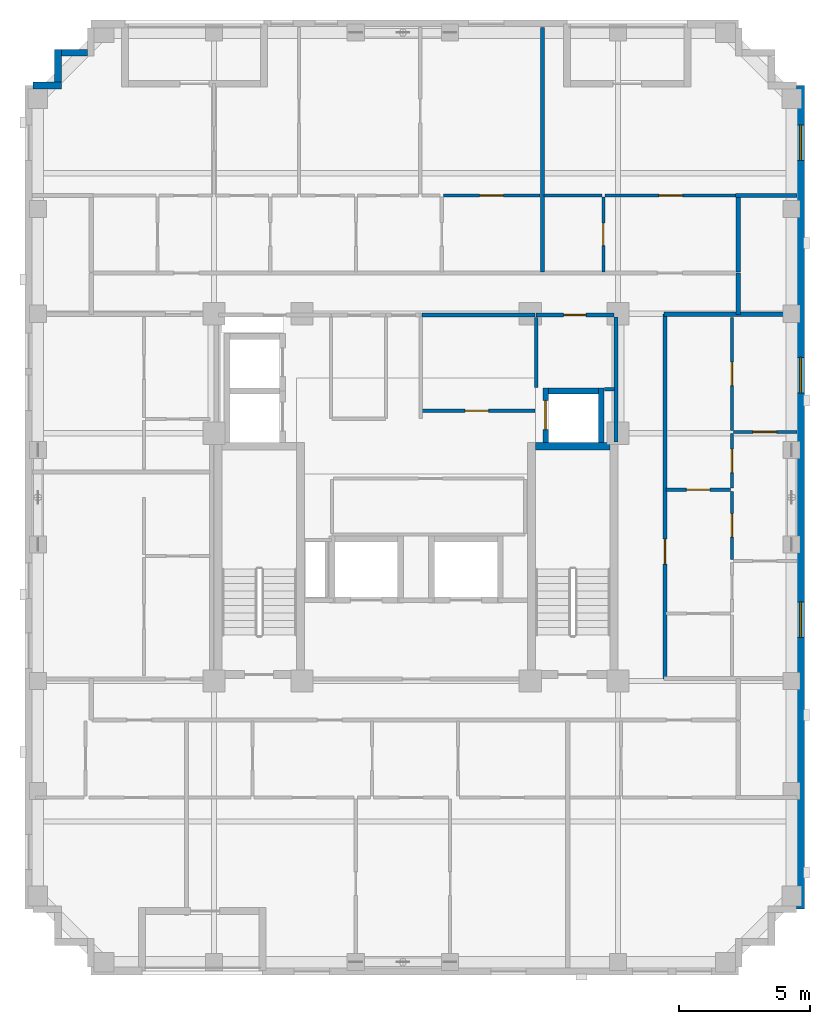
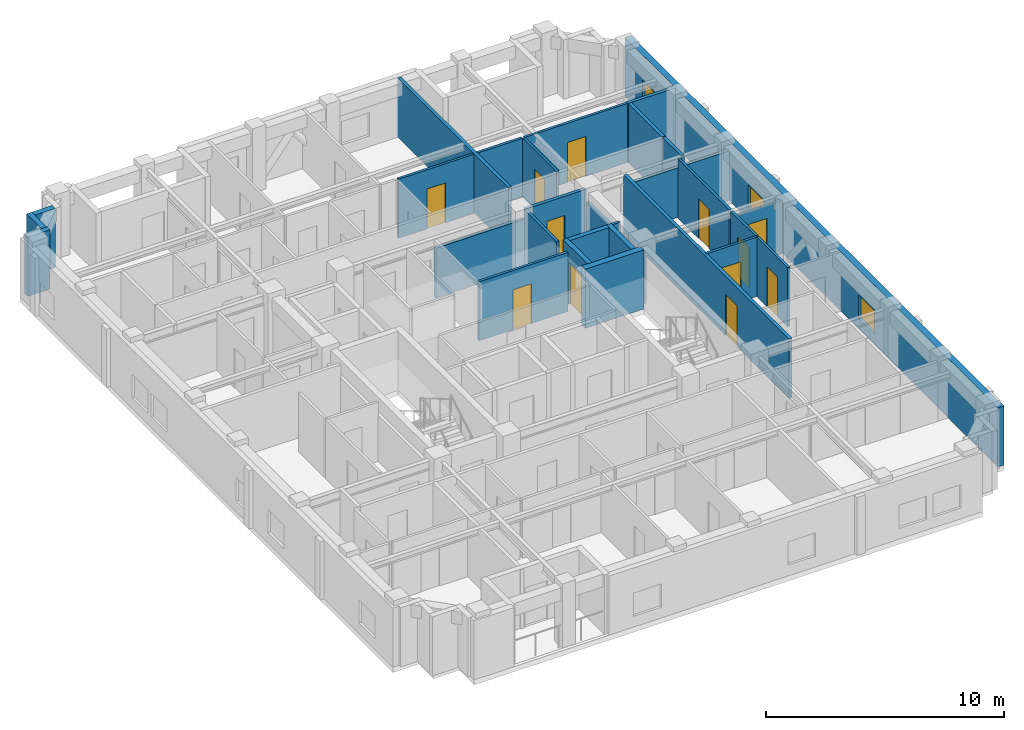
# One storey, part 6 of 10: 29 walls, 12 doors, 3 windows, 15 openings.
"""IFC4 building model written with IfcOpenShell, lengths in metres."""

from ifc_helpers import new_model, si_unit, derived_unit, direction, frame, frame_2d, origin, place, context, subcontext, project, spatial, rectangle, extrude, material, layer, layer_set, type_object, element, fill, save


model = new_model("IFC4")

# Units and contexts
model_context = context("Model", 3, precision=1e-05, world=origin(), true_north=direction((0.0, 1.0)))
body_context = subcontext(model_context, "Body", "Model", "MODEL_VIEW")
ifc_project = project(units=[si_unit("LENGTHUNIT", "METRE"), si_unit("AREAUNIT", "SQUARE_METRE"), si_unit("VOLUMEUNIT", "CUBIC_METRE"), si_unit("PLANEANGLEUNIT", "RADIAN"), si_unit("MASSUNIT", "GRAM", prefix="KILO"), derived_unit("THERMALTRANSMITTANCEUNIT", [(si_unit("MASSUNIT", "GRAM", prefix="KILO"), 1), (si_unit("TIMEUNIT", "SECOND"), -3), (si_unit("THERMODYNAMICTEMPERATUREUNIT", "KELVIN"), -1)])], contexts=[model_context])

# Site, building, storey
site_placement = place(None, origin())
site = spatial("IfcSite", under=ifc_project, at=site_placement, CompositionType="ELEMENT")
building_placement = place(site_placement, origin())
building = spatial("IfcBuilding", under=site, at=building_placement, Name="Korrvale Station Residences", CompositionType="ELEMENT")
storey_placement = place(building_placement, frame((0.0, 0.0, 207.39990234375)))
storey = spatial("IfcBuildingStorey", under=building, at=storey_placement, Name="L60", CompositionType="ELEMENT", Elevation=207.39990234375)

# Walls
ifc_material_1 = material(Name="Concrete C50/60", Category="concrete")
ifc_layer_1 = layer(ifc_material_1, 0.300048828125, Name="Concrete C50/60")
ifc_layer_set_1 = layer_set([ifc_layer_1], Name="Concrete C50/60")
wall_type_1 = type_object("IfcWallType", Name="WAL-CORE-300-C50", PredefinedType="SHEAR", material=ifc_layer_set_1)
wall_1_placement = place(storey_placement, frame((30.050048828125, 23.949951171875, 0.0), z_axis=(0.0, 0.0, 1.0), x_axis=(1.0, 0.0, 0.0)))
element("IfcWall", 1, at=wall_1_placement, inside=storey, type_object=wall_type_1, Name="L60 ST-2 Core Shear Wall North", PredefinedType="SHEAR", context=body_context, shape_type="SweptSolid", body=[
    extrude(rectangle(XDim=2.849853515625, YDim=0.300048828125, at=frame_2d((1.4248046875, 0.0))), origin(), (0.0, 0.0, 1.0), 3.0400390625),
])
ifc_material_2 = material(Name="Precast concrete C45/55", Category="concrete")
ifc_layer_2 = layer(ifc_material_2, 0.260009765625, Name="Precast concrete C45/55")
ifc_layer_set_2 = layer_set([ifc_layer_2], Name="Precast concrete C45/55")
wall_type_2 = type_object("IfcWallType", Name="WAL-EXT-LOG260", PredefinedType="SOLIDWALL", material=ifc_layer_set_2)
wall_2_placement = place(storey_placement, frame((10.902099609375, 37.699951171875, 0.0), z_axis=(0.0, 0.0, 1.0), x_axis=(1.0, 0.0, 0.0)))
element("IfcWall", 2, at=wall_2_placement, inside=storey, type_object=wall_type_2, Name="L60 Serrated Corner Precast Step NW-1", PredefinedType="SOLIDWALL", context=body_context, shape_type="SweptSolid", body=[
    extrude(rectangle(XDim=1.077880859375, YDim=0.260009765625, at=frame_2d((0.5390625, 0.0))), origin(), (0.0, 0.0, 1.0), 3.0400390625),
])
wall_3_placement = place(storey_placement, frame((11.85009765625, 37.83203125, 0.0), z_axis=(0.0, 0.0, 1.0), x_axis=(0.0, 1.0, 0.0)))
element("IfcWall", 3, at=wall_3_placement, inside=storey, type_object=wall_type_2, Name="L60 Serrated Corner Precast Step NW-2", PredefinedType="SOLIDWALL", context=body_context, shape_type="SweptSolid", body=[
    extrude(rectangle(XDim=1.248046875, YDim=0.260009765625, at=frame_2d((0.6240234375, 0.0))), origin(), (0.0, 0.0, 1.0), 3.0400390625),
])
wall_4_placement = place(storey_placement, frame((11.98193359375, 38.949951171875, 0.0), z_axis=(0.0, 0.0, 1.0), x_axis=(1.0, 0.0, 0.0)))
element("IfcWall", 4, at=wall_4_placement, inside=storey, type_object=wall_type_2, Name="L60 Serrated Corner Precast Step NW-3", PredefinedType="SOLIDWALL", context=body_context, shape_type="SweptSolid", body=[
    extrude(rectangle(XDim=0.986083984375, YDim=0.260009765625, at=frame_2d((0.4931640625, 0.0))), origin(), (0.0, 0.0, 1.0), 3.0400390625),
])

# Wall, openings, windows
ifc_layer_3 = layer(ifc_material_2, 0.300048828125, Name="Precast concrete C45/55")
ifc_layer_set_3 = layer_set([ifc_layer_3], Name="Precast concrete C45/55")
wall_type_3 = type_object("IfcWallType", Name="WAL-EXT-PC300", PredefinedType="SOLIDWALL", material=ifc_layer_set_3)
wall_5_placement = place(storey_placement, frame((40.14990234375, 37.699951171875, 0.0), z_axis=(0.0, 0.0, 1.0), x_axis=(0.0, -1.0, 0.0)))
wall_5 = element("IfcWall", 5, at=wall_5_placement, inside=storey, type_object=wall_type_3, Name="L60 East Exterior Precast Wall 1", PredefinedType="SOLIDWALL", context=body_context, shape_type="SweptSolid", body=[
    extrude(rectangle(XDim=31.39990234375, YDim=0.300048828125, at=frame_2d((15.699951171875, 0.0))), origin(), (0.0, 0.0, 1.0), 3.0400390625),
])
opening_1_placement = place(wall_5_placement, frame((1.50390625, 0.0, 0.550048828125)))
opening_1 = element("IfcOpeningElement", 6, at=opening_1_placement, cuts=wall_5, Name="Opening W-10", PredefinedType="OPENING", context=body_context, shape_type="SweptSolid", body=[
    extrude(rectangle(XDim=1.35009765625, YDim=1.199951171875, at=frame_2d((0.675048828125, 0.60009765625))), frame((0.0, 0.16015625, 0.0), z_axis=(0.0, -1.0, 0.0), x_axis=(1.0, 0.0, 0.0)), (0.0, 0.0, 1.0), 0.320068359375),
])
opening_2_placement = place(wall_5_placement, frame((19.68310546875, 0.0, 0.550048828125)))
opening_2 = element("IfcOpeningElement", 7, at=opening_2_placement, cuts=wall_5, Name="Opening W-10", PredefinedType="OPENING", context=body_context, shape_type="SweptSolid", body=[
    extrude(rectangle(XDim=1.35009765625, YDim=1.199951171875, at=frame_2d((0.675048828125, 0.60009765625))), frame((0.0, 0.16015625, 0.0), z_axis=(0.0, -1.0, 0.0), x_axis=(1.0, 0.0, 0.0)), (0.0, 0.0, 1.0), 0.320068359375),
])
opening_3_placement = place(wall_5_placement, frame((10.366943359375, 0.0, 0.550048828125)))
opening_3 = element("IfcOpeningElement", 8, at=opening_3_placement, cuts=wall_5, Name="Opening W-10", PredefinedType="OPENING", context=body_context, shape_type="SweptSolid", body=[
    extrude(rectangle(XDim=1.35009765625, YDim=1.199951171875, at=frame_2d((0.675048828125, 0.60009765625))), frame((0.0, 0.16015625, 0.0), z_axis=(0.0, -1.0, 0.0), x_axis=(1.0, 0.0, 0.0)), (0.0, 0.0, 1.0), 0.320068359375),
])
ifc_material_3 = material(Name="Thermally broken aluminium frame with triple low-e glazing", Category="aluminium")
window_type = type_object("IfcWindowType", Name="WIN-W10", PartitioningType="SINGLE_PANEL", PredefinedType="WINDOW", material=ifc_material_3)
window_1_placement = place(opening_1_placement, origin())
window_1 = element("IfcWindow", 9, at=window_1_placement, inside=storey, type_object=window_type, Name="L60 Punched Window 10", OverallHeight=1.199951171875, OverallWidth=1.35009765625, PartitioningType="SINGLE_PANEL", PredefinedType="WINDOW", context=body_context, shape_type="SweptSolid", body=[
    extrude(rectangle(XDim=1.35009765625, YDim=1.199951171875, at=frame_2d((0.675048828125, 0.60009765625))), frame((0.0, 0.030029296875, 0.0), z_axis=(0.0, -1.0, 0.0), x_axis=(1.0, 0.0, 0.0)), (0.0, 0.0, 1.0), 0.06005859375),
])
fill(opening_1, window_1)
window_2_placement = place(opening_2_placement, origin())
window_2 = element("IfcWindow", 10, at=window_2_placement, inside=storey, type_object=window_type, Name="L60 Punched Window 15", OverallHeight=1.199951171875, OverallWidth=1.35009765625, PartitioningType="SINGLE_PANEL", PredefinedType="WINDOW", context=body_context, shape_type="SweptSolid", body=[
    extrude(rectangle(XDim=1.35009765625, YDim=1.199951171875, at=frame_2d((0.675048828125, 0.60009765625))), frame((0.0, 0.030029296875, 0.0), z_axis=(0.0, -1.0, 0.0), x_axis=(1.0, 0.0, 0.0)), (0.0, 0.0, 1.0), 0.06005859375),
])
fill(opening_2, window_2)
window_3_placement = place(opening_3_placement, origin())
window_3 = element("IfcWindow", 11, at=window_3_placement, inside=storey, type_object=window_type, Name="L60 Punched Window 16", OverallHeight=1.199951171875, OverallWidth=1.35009765625, PartitioningType="SINGLE_PANEL", PredefinedType="WINDOW", context=body_context, shape_type="SweptSolid", body=[
    extrude(rectangle(XDim=1.35009765625, YDim=1.199951171875, at=frame_2d((0.675048828125, 0.60009765625))), frame((0.0, 0.030029296875, 0.0), z_axis=(0.0, -1.0, 0.0), x_axis=(1.0, 0.0, 0.0)), (0.0, 0.0, 1.0), 0.06005859375),
])
fill(opening_3, window_3)

# Walls
ifc_material_4 = material(Name="Acoustic steel-stud gypsum board partition", Category="steel")
ifc_layer_4 = layer(ifc_material_4, 0.1201171875, Name="Acoustic steel-stud gypsum board partition")
ifc_layer_set_4 = layer_set([ifc_layer_4], Name="Acoustic steel-stud gypsum board partition")
wall_type_4 = type_object("IfcWallType", Name="WAL-PART-125", PredefinedType="PARTITIONING", material=ifc_layer_set_4)
wall_6_placement = place(storey_placement, frame((30.080078125, 26.179931640625, 0.0), z_axis=(0.0, 0.0, 1.0), x_axis=(0.0, 1.0, 0.0)))
element("IfcWall", 12, at=wall_6_placement, inside=storey, type_object=wall_type_4, Name="L60 Core Partition CW-CS-W", PredefinedType="PARTITIONING", context=body_context, shape_type="SweptSolid", body=[
    extrude(rectangle(XDim=2.68017578125, YDim=0.1201171875, at=frame_2d((1.340087890625, 0.0))), origin(), (0.0, 0.0, 1.0), 3.0400390625),
])
wall_7_placement = place(storey_placement, frame((32.679931640625, 26.1201171875, 0.0), z_axis=(0.0, 0.0, 1.0), x_axis=(1.0, 0.0, 0.0)))
element("IfcWall", 13, at=wall_7_placement, inside=storey, type_object=wall_type_4, Name="L60 Core Partition CW-CS-S", PredefinedType="PARTITIONING", context=body_context, shape_type="SweptSolid", body=[
    extrude(rectangle(XDim=0.380126953125, YDim=0.1201171875, at=frame_2d((0.18994140625, 0.0))), origin(), (0.0, 0.0, 1.0), 3.0400390625),
])

# Wall, opening, door
wall_8_placement = place(storey_placement, frame((25.719970703125, 25.300048828125, 0.0), z_axis=(0.0, 0.0, 1.0), x_axis=(1.0, 0.0, 0.0)))
wall_8 = element("IfcWall", 14, at=wall_8_placement, inside=storey, type_object=wall_type_4, Name="L60 Core Partition CW-FPLE-S", PredefinedType="PARTITIONING", context=body_context, shape_type="SweptSolid", body=[
    extrude(rectangle(XDim=4.320068359375, YDim=0.1201171875, at=frame_2d((2.16015625, 0.0))), origin(), (0.0, 0.0, 1.0), 3.0400390625),
])
opening_4_placement = place(wall_8_placement, frame((1.64990234375, 0.0, 0.0)))
opening_4 = element("IfcOpeningElement", 15, at=opening_4_placement, cuts=wall_8, Name="Opening DI-900", PredefinedType="OPENING", context=body_context, shape_type="SweptSolid", body=[
    extrude(rectangle(XDim=0.89990234375, YDim=2.050048828125, at=frame_2d((0.449951171875, 1.02490234375))), frame((0.0, 0.070068359375, 0.0), z_axis=(0.0, -1.0, 0.0), x_axis=(1.0, 0.0, 0.0)), (0.0, 0.0, 1.0), 0.14013671875),
])
ifc_material_5 = material(Name="Painted solid-core timber interior room door", Category="wood")
door_type_1 = type_object("IfcDoorType", Name="DR-INT-900", OperationType="NOTDEFINED", PredefinedType="DOOR", material=ifc_material_5)
door_1_placement = place(opening_4_placement, origin())
door_1 = element("IfcDoor", 16, at=door_1_placement, inside=storey, type_object=door_type_1, Name="L60 Housekeeping Linen Door", OperationType="SINGLE_SWING_LEFT", OverallHeight=2.050048828125, OverallWidth=0.89990234375, PredefinedType="DOOR", context=body_context, shape_type="SweptSolid", body=[
    extrude(rectangle(XDim=0.89990234375, YDim=2.050048828125, at=frame_2d((0.449951171875, 1.02490234375))), frame((0.0, 0.02490234375, 0.0), z_axis=(0.0, -1.0, 0.0), x_axis=(1.0, 0.0, 0.0)), (0.0, 0.0, 1.0), 0.050048828125),
])
fill(opening_4, door_1)

wall_9_placement = place(storey_placement, frame((26.5400390625, 33.510009765625, 0.0), z_axis=(0.0, 0.0, 1.0), x_axis=(1.0, 0.0, 0.0)))
wall_9 = element("IfcWall", 17, at=wall_9_placement, inside=storey, type_object=wall_type_4, Name="L60 Suite Partition U04-H48", PredefinedType="PARTITIONING", context=body_context, shape_type="SweptSolid", body=[
    extrude(rectangle(XDim=3.677001953125, YDim=0.1201171875, at=frame_2d((1.83837890625, 0.0))), origin(), (0.0, 0.0, 1.0), 3.0400390625),
])
opening_5_placement = place(wall_9_placement, frame((1.387939453125, 0.0, 0.0)))
opening_5 = element("IfcOpeningElement", 18, at=opening_5_placement, cuts=wall_9, Name="Opening DI-900", PredefinedType="OPENING", context=body_context, shape_type="SweptSolid", body=[
    extrude(rectangle(XDim=0.89990234375, YDim=2.050048828125, at=frame_2d((0.449951171875, 1.02490234375))), frame((0.0, 0.070068359375, 0.0), z_axis=(0.0, -1.0, 0.0), x_axis=(1.0, 0.0, 0.0)), (0.0, 0.0, 1.0), 0.14013671875),
])
door_2_placement = place(opening_5_placement, origin())
door_2 = element("IfcDoor", 19, at=door_2_placement, inside=storey, type_object=door_type_1, Name="L60 Apartment 2BR L60-U04 Wardrobe Storage Room Door", OperationType="SINGLE_SWING_LEFT", OverallHeight=2.050048828125, OverallWidth=0.89990234375, PredefinedType="DOOR", context=body_context, shape_type="SweptSolid", body=[
    extrude(rectangle(XDim=0.89990234375, YDim=2.050048828125, at=frame_2d((0.449951171875, 1.02490234375))), frame((0.0, 0.02490234375, 0.0), z_axis=(0.0, -1.0, 0.0), x_axis=(1.0, 0.0, 0.0)), (0.0, 0.0, 1.0), 0.050048828125),
])
fill(opening_5, door_2)

wall_10_placement = place(storey_placement, frame((32.639892578125, 30.60009765625, 0.0), z_axis=(0.0, 0.0, 1.0), x_axis=(0.0, 1.0, 0.0)))
wall_10 = element("IfcWall", 20, at=wall_10_placement, inside=storey, type_object=wall_type_4, Name="L60 Suite Partition U05-V01", PredefinedType="PARTITIONING", context=body_context, shape_type="SweptSolid", body=[
    extrude(rectangle(XDim=2.849853515625, YDim=0.1201171875, at=frame_2d((1.4248046875, 0.0))), origin(), (0.0, 0.0, 1.0), 3.0400390625),
])
opening_6_placement = place(wall_10_placement, frame((0.9951171875, 0.0, 0.0)))
opening_6 = element("IfcOpeningElement", 21, at=opening_6_placement, cuts=wall_10, Name="Opening DB-860", PredefinedType="OPENING", context=body_context, shape_type="SweptSolid", body=[
    extrude(rectangle(XDim=0.860107421875, YDim=2.050048828125, at=frame_2d((0.43017578125, 1.02490234375))), frame((0.0, 0.070068359375, 0.0), z_axis=(0.0, -1.0, 0.0), x_axis=(1.0, 0.0, 0.0)), (0.0, 0.0, 1.0), 0.14013671875),
])
ifc_material_6 = material(Name="Moisture-resistant solid-core bathroom door", Category="timber")
door_type_2 = type_object("IfcDoorType", Name="DR-BATH-860", OperationType="NOTDEFINED", PredefinedType="DOOR", material=ifc_material_6)
door_3_placement = place(opening_6_placement, origin())
door_3 = element("IfcDoor", 22, at=door_3_placement, inside=storey, type_object=door_type_2, Name="L60 Studio Apartment L60-U05 Bathroom Door", OperationType="SINGLE_SWING_LEFT", OverallHeight=2.050048828125, OverallWidth=0.860107421875, PredefinedType="DOOR", context=body_context, shape_type="SweptSolid", body=[
    extrude(rectangle(XDim=0.860107421875, YDim=2.050048828125, at=frame_2d((0.43017578125, 1.02490234375))), frame((0.0, 0.02490234375, 0.0), z_axis=(0.0, -1.0, 0.0), x_axis=(1.0, 0.0, 0.0)), (0.0, 0.0, 1.0), 0.050048828125),
])
fill(opening_6, door_3)

# Wall
wall_11_placement = place(storey_placement, frame((30.376953125, 33.510009765625, 0.0), z_axis=(0.0, 0.0, 1.0), x_axis=(1.0, 0.0, 0.0)))
element("IfcWall", 23, at=wall_11_placement, inside=storey, type_object=wall_type_4, Name="L60 Suite Partition U05-H02", PredefinedType="PARTITIONING", context=body_context, shape_type="SweptSolid", body=[
    extrude(rectangle(XDim=2.203125, YDim=0.1201171875, at=frame_2d((1.1015625, 0.0))), origin(), (0.0, 0.0, 1.0), 3.0400390625),
])

# Wall, opening, door
wall_12_placement = place(storey_placement, frame((32.699951171875, 33.510009765625, 0.0), z_axis=(0.0, 0.0, 1.0), x_axis=(1.0, 0.0, 0.0)))
wall_12 = element("IfcWall", 24, at=wall_12_placement, inside=storey, type_object=wall_type_4, Name="L60 Suite Partition U05-H12", PredefinedType="PARTITIONING", context=body_context, shape_type="SweptSolid", body=[
    extrude(rectangle(XDim=5.02001953125, YDim=0.1201171875, at=frame_2d((2.510009765625, 0.0))), origin(), (0.0, 0.0, 1.0), 3.0400390625),
])
opening_7_placement = place(wall_12_placement, frame((2.06005859375, 0.0, 0.0)))
opening_7 = element("IfcOpeningElement", 25, at=opening_7_placement, cuts=wall_12, Name="Opening DI-900", PredefinedType="OPENING", context=body_context, shape_type="SweptSolid", body=[
    extrude(rectangle(XDim=0.89990234375, YDim=2.050048828125, at=frame_2d((0.449951171875, 1.02490234375))), frame((0.0, 0.070068359375, 0.0), z_axis=(0.0, -1.0, 0.0), x_axis=(1.0, 0.0, 0.0)), (0.0, 0.0, 1.0), 0.14013671875),
])
door_4_placement = place(opening_7_placement, origin())
door_4 = element("IfcDoor", 26, at=door_4_placement, inside=storey, type_object=door_type_1, Name="L60 Studio Apartment L60-U05 Kitchen Door", OperationType="SINGLE_SWING_RIGHT", OverallHeight=2.050048828125, OverallWidth=0.89990234375, PredefinedType="DOOR", context=body_context, shape_type="SweptSolid", body=[
    extrude(rectangle(XDim=0.89990234375, YDim=2.050048828125, at=frame_2d((0.449951171875, 1.02490234375))), frame((0.0, 0.02490234375, 0.0), z_axis=(0.0, -1.0, 0.0), x_axis=(1.0, 0.0, 0.0)), (0.0, 0.0, 1.0), 0.050048828125),
])
fill(opening_7, door_4)

wall_13_placement = place(storey_placement, frame((35.030029296875, 22.2900390625, 0.0), z_axis=(0.0, 0.0, 1.0), x_axis=(1.0, 0.0, 0.0)))
wall_13 = element("IfcWall", 27, at=wall_13_placement, inside=storey, type_object=wall_type_4, Name="L60 Suite Partition U08-H02", PredefinedType="PARTITIONING", context=body_context, shape_type="SweptSolid", body=[
    extrude(rectangle(XDim=2.449951171875, YDim=0.1201171875, at=frame_2d((1.22509765625, 0.0))), origin(), (0.0, 0.0, 1.0), 3.0400390625),
])
opening_8_placement = place(wall_13_placement, frame((0.77490234375, 0.0, 0.0)))
opening_8 = element("IfcOpeningElement", 28, at=opening_8_placement, cuts=wall_13, Name="Opening DI-900", PredefinedType="OPENING", context=body_context, shape_type="SweptSolid", body=[
    extrude(rectangle(XDim=0.89990234375, YDim=2.050048828125, at=frame_2d((0.449951171875, 1.02490234375))), frame((0.0, 0.070068359375, 0.0), z_axis=(0.0, -1.0, 0.0), x_axis=(1.0, 0.0, 0.0)), (0.0, 0.0, 1.0), 0.14013671875),
])
door_5_placement = place(opening_8_placement, origin())
door_5 = element("IfcDoor", 29, at=door_5_placement, inside=storey, type_object=door_type_1, Name="L60 Apartment 2BR L60-U08 Wardrobe Storage Room Door", OperationType="SINGLE_SWING_LEFT", OverallHeight=2.050048828125, OverallWidth=0.89990234375, PredefinedType="DOOR", context=body_context, shape_type="SweptSolid", body=[
    extrude(rectangle(XDim=0.89990234375, YDim=2.050048828125, at=frame_2d((0.449951171875, 1.02490234375))), frame((0.0, 0.02490234375, 0.0), z_axis=(0.0, -1.0, 0.0), x_axis=(1.0, 0.0, 0.0)), (0.0, 0.0, 1.0), 0.050048828125),
])
fill(opening_8, door_5)

wall_14_placement = place(storey_placement, frame((37.5400390625, 22.35009765625, 0.0), z_axis=(0.0, 0.0, 1.0), x_axis=(0.0, 1.0, 0.0)))
wall_14 = element("IfcWall", 30, at=wall_14_placement, inside=storey, type_object=wall_type_4, Name="L60 Suite Partition U08-V04", PredefinedType="PARTITIONING", context=body_context, shape_type="SweptSolid", body=[
    extrude(rectangle(XDim=2.081787109375, YDim=0.1201171875, at=frame_2d((1.041015625, 0.0))), origin(), (0.0, 0.0, 1.0), 3.0400390625),
])
opening_9_placement = place(wall_14_placement, frame((0.591064453125, 0.0, 0.0)))
opening_9 = element("IfcOpeningElement", 31, at=opening_9_placement, cuts=wall_14, Name="Opening DI-900", PredefinedType="OPENING", context=body_context, shape_type="SweptSolid", body=[
    extrude(rectangle(XDim=0.89990234375, YDim=2.050048828125, at=frame_2d((0.449951171875, 1.02490234375))), frame((0.0, 0.070068359375, 0.0), z_axis=(0.0, -1.0, 0.0), x_axis=(1.0, 0.0, 0.0)), (0.0, 0.0, 1.0), 0.14013671875),
])
door_6_placement = place(opening_9_placement, origin())
door_6 = element("IfcDoor", 32, at=door_6_placement, inside=storey, type_object=door_type_1, Name="L60 Apartment 2BR L60-U08 Wardrobe Storage Room Door", OperationType="SINGLE_SWING_RIGHT", OverallHeight=2.050048828125, OverallWidth=0.89990234375, PredefinedType="DOOR", context=body_context, shape_type="SweptSolid", body=[
    extrude(rectangle(XDim=0.89990234375, YDim=2.050048828125, at=frame_2d((0.449951171875, 1.02490234375))), frame((0.0, 0.02490234375, 0.0), z_axis=(0.0, -1.0, 0.0), x_axis=(1.0, 0.0, 0.0)), (0.0, 0.0, 1.0), 0.050048828125),
])
fill(opening_9, door_6)

wall_15_placement = place(storey_placement, frame((37.5400390625, 24.552001953125, 0.0), z_axis=(0.0, 0.0, 1.0), x_axis=(0.0, 1.0, 0.0)))
wall_15 = element("IfcWall", 33, at=wall_15_placement, inside=storey, type_object=wall_type_4, Name="L60 Suite Partition U08-V05", PredefinedType="PARTITIONING", context=body_context, shape_type="SweptSolid", body=[
    extrude(rectangle(XDim=4.30810546875, YDim=0.1201171875, at=frame_2d((2.154052734375, 0.0))), origin(), (0.0, 0.0, 1.0), 3.0400390625),
])
opening_10_placement = place(wall_15_placement, frame((1.7041015625, 0.0, 0.0)))
opening_10 = element("IfcOpeningElement", 34, at=opening_10_placement, cuts=wall_15, Name="Opening DI-900", PredefinedType="OPENING", context=body_context, shape_type="SweptSolid", body=[
    extrude(rectangle(XDim=0.89990234375, YDim=2.050048828125, at=frame_2d((0.449951171875, 1.02490234375))), frame((0.0, 0.070068359375, 0.0), z_axis=(0.0, -1.0, 0.0), x_axis=(1.0, 0.0, 0.0)), (0.0, 0.0, 1.0), 0.14013671875),
])
door_7_placement = place(opening_10_placement, origin())
door_7 = element("IfcDoor", 35, at=door_7_placement, inside=storey, type_object=door_type_1, Name="L60 Apartment 2BR L60-U08 Wardrobe Storage Room Door", OperationType="SINGLE_SWING_LEFT", OverallHeight=2.050048828125, OverallWidth=0.89990234375, PredefinedType="DOOR", context=body_context, shape_type="SweptSolid", body=[
    extrude(rectangle(XDim=0.89990234375, YDim=2.050048828125, at=frame_2d((0.449951171875, 1.02490234375))), frame((0.0, 0.02490234375, 0.0), z_axis=(0.0, -1.0, 0.0), x_axis=(1.0, 0.0, 0.0)), (0.0, 0.0, 1.0), 0.050048828125),
])
fill(opening_10, door_7)

wall_16_placement = place(storey_placement, frame((37.5400390625, 19.637939453125, 0.0), z_axis=(0.0, 0.0, 1.0), x_axis=(0.0, 1.0, 0.0)))
wall_16 = element("IfcWall", 36, at=wall_16_placement, inside=storey, type_object=wall_type_4, Name="L60 Suite Partition U08-V24", PredefinedType="PARTITIONING", context=body_context, shape_type="SweptSolid", body=[
    extrude(rectangle(XDim=2.592041015625, YDim=0.1201171875, at=frame_2d((1.2958984375, 0.0))), origin(), (0.0, 0.0, 1.0), 3.0400390625),
])
opening_11_placement = place(wall_16_placement, frame((0.845947265625, 0.0, 0.0)))
opening_11 = element("IfcOpeningElement", 37, at=opening_11_placement, cuts=wall_16, Name="Opening DI-900", PredefinedType="OPENING", context=body_context, shape_type="SweptSolid", body=[
    extrude(rectangle(XDim=0.89990234375, YDim=2.050048828125, at=frame_2d((0.449951171875, 1.02490234375))), frame((0.0, 0.070068359375, 0.0), z_axis=(0.0, -1.0, 0.0), x_axis=(1.0, 0.0, 0.0)), (0.0, 0.0, 1.0), 0.14013671875),
])
door_8_placement = place(opening_11_placement, origin())
door_8 = element("IfcDoor", 38, at=door_8_placement, inside=storey, type_object=door_type_1, Name="L60 Apartment 2BR L60-U08 Kitchen Door", OperationType="SINGLE_SWING_RIGHT", OverallHeight=2.050048828125, OverallWidth=0.89990234375, PredefinedType="DOOR", context=body_context, shape_type="SweptSolid", body=[
    extrude(rectangle(XDim=0.89990234375, YDim=2.050048828125, at=frame_2d((0.449951171875, 1.02490234375))), frame((0.0, 0.02490234375, 0.0), z_axis=(0.0, -1.0, 0.0), x_axis=(1.0, 0.0, 0.0)), (0.0, 0.0, 1.0), 0.050048828125),
])
fill(opening_11, door_8)

wall_17_placement = place(storey_placement, frame((37.60009765625, 24.491943359375, 0.0), z_axis=(0.0, 0.0, 1.0), x_axis=(1.0, 0.0, 0.0)))
wall_17 = element("IfcWall", 39, at=wall_17_placement, inside=storey, type_object=wall_type_4, Name="L60 Suite Partition U08-H45", PredefinedType="PARTITIONING", context=body_context, shape_type="SweptSolid", body=[
    extrude(rectangle(XDim=2.419921875, YDim=0.1201171875, at=frame_2d((1.2099609375, 0.0))), origin(), (0.0, 0.0, 1.0), 2.72216796875),
])
opening_12_placement = place(wall_17_placement, frame((0.7451171875, 0.0, 0.0)))
opening_12 = element("IfcOpeningElement", 40, at=opening_12_placement, cuts=wall_17, Name="Opening DI-900", PredefinedType="OPENING", context=body_context, shape_type="SweptSolid", body=[
    extrude(rectangle(XDim=0.89990234375, YDim=2.050048828125, at=frame_2d((0.449951171875, 1.02490234375))), frame((0.0, 0.070068359375, 0.0), z_axis=(0.0, -1.0, 0.0), x_axis=(1.0, 0.0, 0.0)), (0.0, 0.0, 1.0), 0.14013671875),
])
door_9_placement = place(opening_12_placement, origin())
door_9 = element("IfcDoor", 41, at=door_9_placement, inside=storey, type_object=door_type_1, Name="L60 Apartment 2BR L60-U08 Living and Dining Room Door", OperationType="SINGLE_SWING_RIGHT", OverallHeight=2.050048828125, OverallWidth=0.89990234375, PredefinedType="DOOR", context=body_context, shape_type="SweptSolid", body=[
    extrude(rectangle(XDim=0.89990234375, YDim=2.050048828125, at=frame_2d((0.449951171875, 1.02490234375))), frame((0.0, 0.02490234375, 0.0), z_axis=(0.0, -1.0, 0.0), x_axis=(1.0, 0.0, 0.0)), (0.0, 0.0, 1.0), 0.050048828125),
])
fill(opening_12, door_9)

# Wall
ifc_material_7 = material(Name="Fire-rated twin-stud gypsum and mineral wool shaftwall assembly", Category="gypsum")
ifc_layer_5 = layer(ifc_material_7, 0.159912109375, Name="Fire-rated twin-stud gypsum and mineral wool shaftwall assembly")
ifc_layer_set_5 = layer_set([ifc_layer_5], Name="Fire-rated twin-stud gypsum and mineral wool shaftwall assembly")
wall_type_5 = type_object("IfcWallType", Name="WAL-PART-200", PredefinedType="PARTITIONING", material=ifc_layer_set_5)
wall_18_placement = place(storey_placement, frame((33.1201171875, 24.1201171875, 0.0), z_axis=(0.0, 0.0, 1.0), x_axis=(0.0, 1.0, 0.0)))
element("IfcWall", 42, at=wall_18_placement, inside=storey, type_object=wall_type_5, Name="L60 Core Partition CW-E-N", PredefinedType="PARTITIONING", context=body_context, shape_type="SweptSolid", body=[
    extrude(rectangle(XDim=4.759765625, YDim=0.159912109375, at=frame_2d((2.3798828125, 0.0))), origin(), (0.0, 0.0, 1.0), 2.375),
])

# Wall, opening, door
wall_19_placement = place(storey_placement, frame((30.080078125, 28.949951171875, 0.0), z_axis=(0.0, 0.0, 1.0), x_axis=(1.0, 0.0, 0.0)))
wall_19 = element("IfcWall", 43, at=wall_19_placement, inside=storey, type_object=wall_type_5, Name="L60 Core Partition CW-CS-N", PredefinedType="PARTITIONING", context=body_context, shape_type="SweptSolid", body=[
    extrude(rectangle(XDim=2.9599609375, YDim=0.159912109375, at=frame_2d((1.47998046875, 0.0))), origin(), (0.0, 0.0, 1.0), 3.0400390625),
])
opening_13_placement = place(wall_19_placement, frame((1.044921875, 0.0, 0.0)))
opening_13 = element("IfcOpeningElement", 44, at=opening_13_placement, cuts=wall_19, Name="Opening DB-860", PredefinedType="OPENING", context=body_context, shape_type="SweptSolid", body=[
    extrude(rectangle(XDim=0.860107421875, YDim=2.050048828125, at=frame_2d((0.43017578125, 1.02490234375))), frame((0.0, 0.08984375, 0.0), z_axis=(0.0, -1.0, 0.0), x_axis=(1.0, 0.0, 0.0)), (0.0, 0.0, 1.0), 0.179931640625),
])
door_10_placement = place(opening_13_placement, origin())
door_10 = element("IfcDoor", 45, at=door_10_placement, inside=storey, type_object=door_type_2, Name="L60 Parcel Room Door", OperationType="SINGLE_SWING_LEFT", OverallHeight=2.050048828125, OverallWidth=0.860107421875, PredefinedType="DOOR", context=body_context, shape_type="SweptSolid", body=[
    extrude(rectangle(XDim=0.860107421875, YDim=2.050048828125, at=frame_2d((0.43017578125, 1.02490234375))), frame((0.0, 0.02490234375, 0.0), z_axis=(0.0, -1.0, 0.0), x_axis=(1.0, 0.0, 0.0)), (0.0, 0.0, 1.0), 0.050048828125),
])
fill(opening_13, door_10)

# Walls
wall_20_placement = place(storey_placement, frame((25.719970703125, 28.949951171875, 0.0), z_axis=(0.0, 0.0, 1.0), x_axis=(1.0, 0.0, 0.0)))
element("IfcWall", 46, at=wall_20_placement, inside=storey, type_object=wall_type_5, Name="L60 Core Partition CW-FPLE-N", PredefinedType="PARTITIONING", context=body_context, shape_type="SweptSolid", body=[
    extrude(rectangle(XDim=4.320068359375, YDim=0.159912109375, at=frame_2d((2.16015625, 0.0))), origin(), (0.0, 0.0, 1.0), 2.55615234375),
])
wall_21_placement = place(storey_placement, frame((37.780029296875, 28.97998046875, 0.0), z_axis=(0.0, 0.0, 1.0), x_axis=(0.0, 1.0, 0.0)))
element("IfcWall", 47, at=wall_21_placement, inside=storey, type_object=wall_type_5, Name="L60 Corridor North East Cap", PredefinedType="PARTITIONING", context=body_context, shape_type="SweptSolid", body=[
    extrude(rectangle(XDim=1.580078125, YDim=0.159912109375, at=frame_2d((0.7900390625, 0.0))), origin(), (0.0, 0.0, 1.0), 3.0400390625),
])
wall_22_placement = place(storey_placement, frame((34.949951171875, 28.97998046875, 0.0), z_axis=(0.0, 0.0, 1.0), x_axis=(1.0, 0.0, 0.0)))
element("IfcWall", 48, at=wall_22_placement, inside=storey, type_object=wall_type_5, Name="L60 East Wing North Corridor Wall", PredefinedType="PARTITIONING", context=body_context, shape_type="SweptSolid", body=[
    extrude(rectangle(XDim=5.070068359375, YDim=0.159912109375, at=frame_2d((2.53515625, 0.0))), origin(), (0.0, 0.0, 1.0), 2.55615234375),
])
wall_23_placement = place(storey_placement, frame((37.679931640625, 33.510009765625, 0.0), z_axis=(0.0, 0.0, 1.0), x_axis=(1.0, 0.0, 0.0)))
element("IfcWall", 49, at=wall_23_placement, inside=storey, type_object=wall_type_5, Name="L60 Corner Step Wall U05-R", PredefinedType="PARTITIONING", context=body_context, shape_type="SweptSolid", body=[
    extrude(rectangle(XDim=2.340087890625, YDim=0.159912109375, at=frame_2d((1.169921875, 0.0))), origin(), (0.0, 0.0, 1.0), 3.0400390625),
])
wall_24_placement = place(storey_placement, frame((37.780029296875, 30.60009765625, 0.0), z_axis=(0.0, 0.0, 1.0), x_axis=(0.0, 1.0, 0.0)))
element("IfcWall", 50, at=wall_24_placement, inside=storey, type_object=wall_type_5, Name="L60 Corner Step Cheek U05-R", PredefinedType="PARTITIONING", context=body_context, shape_type="SweptSolid", body=[
    extrude(rectangle(XDim=2.909912109375, YDim=0.159912109375, at=frame_2d((1.455078125, 0.0))), origin(), (0.0, 0.0, 1.0), 3.0400390625),
])
wall_25_placement = place(storey_placement, frame((30.31689453125, 30.60009765625, 0.0), z_axis=(0.0, 0.0, 1.0), x_axis=(0.0, 1.0, 0.0)))
element("IfcWall", 51, at=wall_25_placement, inside=storey, type_object=wall_type_5, Name="L60 Demising Wall U05-W", PredefinedType="PARTITIONING", context=body_context, shape_type="SweptSolid", body=[
    extrude(rectangle(XDim=9.31982421875, YDim=0.159912109375, at=frame_2d((4.659912109375, 0.0))), origin(), (0.0, 0.0, 1.0), 3.0400390625),
])

# Wall, opening, door
wall_26_placement = place(storey_placement, frame((34.989990234375, 15.070068359375, 0.0), z_axis=(0.0, 0.0, 1.0), x_axis=(0.0, 1.0, 0.0)))
wall_26 = element("IfcWall", 52, at=wall_26_placement, inside=storey, type_object=wall_type_5, Name="L60 Rated Corridor Wall E", PredefinedType="PARTITIONING", context=body_context, shape_type="SweptSolid", body=[
    extrude(rectangle(XDim=13.929931640625, YDim=0.159912109375, at=frame_2d((6.96484375, 0.0))), origin(), (0.0, 0.0, 1.0), 3.0400390625),
])
opening_14_placement = place(wall_26_placement, frame((4.385009765625, 0.0, 0.0)))
opening_14 = element("IfcOpeningElement", 53, at=opening_14_placement, cuts=wall_26, Name="Opening UD-950", PredefinedType="OPENING", context=body_context, shape_type="SweptSolid", body=[
    extrude(rectangle(XDim=0.949951171875, YDim=2.10009765625, at=frame_2d((0.47509765625, 1.050048828125))), frame((0.0, 0.08984375, 0.0), z_axis=(0.0, -1.0, 0.0), x_axis=(1.0, 0.0, 0.0)), (0.0, 0.0, 1.0), 0.179931640625),
])
ifc_material_8 = material(Name="Solid-core acoustic oak apartment entrance door", Category="timber")
door_type_3 = type_object("IfcDoorType", Name="DR-UNIT-950", OperationType="NOTDEFINED", PredefinedType="DOOR", material=ifc_material_8)
door_11_placement = place(opening_14_placement, origin())
door_11 = element("IfcDoor", 54, at=door_11_placement, inside=storey, type_object=door_type_3, Name="L60 Apartment L60-U08 Entrance Door", OperationType="SINGLE_SWING_RIGHT", OverallHeight=2.10009765625, OverallWidth=0.949951171875, PredefinedType="DOOR", context=body_context, shape_type="SweptSolid", body=[
    extrude(rectangle(XDim=0.949951171875, YDim=2.10009765625, at=frame_2d((0.47509765625, 1.050048828125))), frame((0.0, 0.02490234375, 0.0), z_axis=(0.0, -1.0, 0.0), x_axis=(1.0, 0.0, 0.0)), (0.0, 0.0, 1.0), 0.050048828125),
])
fill(opening_14, door_11)

# Wall
ifc_layer_6 = layer(ifc_material_1, 0.219970703125, Name="Concrete C50/60")
ifc_layer_set_6 = layer_set([ifc_layer_6], Name="Concrete C50/60")
wall_type_6 = type_object("IfcWallType", Name="WAL-SHAFT-220-C50", PredefinedType="SHEAR", material=ifc_layer_set_6)
wall_27_placement = place(storey_placement, frame((30.550048828125, 26.06005859375, 0.0), z_axis=(0.0, 0.0, 1.0), x_axis=(1.0, 0.0, 0.0)))
element("IfcWall", 55, at=wall_27_placement, inside=storey, type_object=wall_type_6, Name="L60 Elevator PH-3 Hoistway Wall North", PredefinedType="SHEAR", context=body_context, shape_type="SweptSolid", body=[
    extrude(rectangle(XDim=1.89990234375, YDim=0.219970703125, at=frame_2d((0.949951171875, 0.0))), origin(), (0.0, 0.0, 1.0), 3.0400390625),
])

# Wall, opening, door
wall_28_placement = place(storey_placement, frame((30.43994140625, 24.10009765625, 0.0), z_axis=(0.0, 0.0, 1.0), x_axis=(0.0, 1.0, 0.0)))
wall_28 = element("IfcWall", 56, at=wall_28_placement, inside=storey, type_object=wall_type_6, Name="L60 Elevator PH-3 Hoistway Wall West", PredefinedType="SHEAR", context=body_context, shape_type="SweptSolid", body=[
    extrude(rectangle(XDim=2.06982421875, YDim=0.219970703125, at=frame_2d((1.034912109375, 0.0))), origin(), (0.0, 0.0, 1.0), 3.0400390625),
])
opening_15_placement = place(wall_28_placement, frame((0.485107421875, 0.0, 0.0)))
opening_15 = element("IfcOpeningElement", 57, at=opening_15_placement, cuts=wall_28, Name="Opening LD-1100", PredefinedType="OPENING", context=body_context, shape_type="SweptSolid", body=[
    extrude(rectangle(XDim=1.10009765625, YDim=2.14990234375, at=frame_2d((0.550048828125, 1.074951171875))), frame((0.0, 0.1201171875, 0.0), z_axis=(0.0, -1.0, 0.0), x_axis=(1.0, 0.0, 0.0)), (0.0, 0.0, 1.0), 0.239990234375),
])
ifc_material_9 = material(Name="Brushed stainless-steel elevator landing sliding door", Category="steel")
door_type_4 = type_object("IfcDoorType", Name="DR-LIFT-1100", OperationType="SLIDING_TO_LEFT", PredefinedType="DOOR", material=ifc_material_9)
door_12_placement = place(opening_15_placement, origin())
door_12 = element("IfcDoor", 58, at=door_12_placement, inside=storey, type_object=door_type_4, Name="L60 Elevator PH-3 Sliding Landing Door", OperationType="SLIDING_TO_LEFT", OverallHeight=2.14990234375, OverallWidth=1.10009765625, PredefinedType="DOOR", context=body_context, shape_type="SweptSolid", body=[
    extrude(rectangle(XDim=1.10009765625, YDim=2.14990234375, at=frame_2d((0.550048828125, 1.074951171875))), frame((0.0, 0.02490234375, 0.0), z_axis=(0.0, -1.0, 0.0), x_axis=(1.0, 0.0, 0.0)), (0.0, 0.0, 1.0), 0.050048828125),
])
fill(opening_15, door_12)

# Wall
wall_29_placement = place(storey_placement, frame((32.56005859375, 24.10009765625, 0.0), z_axis=(0.0, 0.0, 1.0), x_axis=(0.0, 1.0, 0.0)))
element("IfcWall", 59, at=wall_29_placement, inside=storey, type_object=wall_type_6, Name="L60 Elevator PH-3 Hoistway Wall East", PredefinedType="SHEAR", context=body_context, shape_type="SweptSolid", body=[
    extrude(rectangle(XDim=2.06982421875, YDim=0.219970703125, at=frame_2d((1.034912109375, 0.0))), origin(), (0.0, 0.0, 1.0), 3.0400390625),
])

save(model, "model.ifc")
